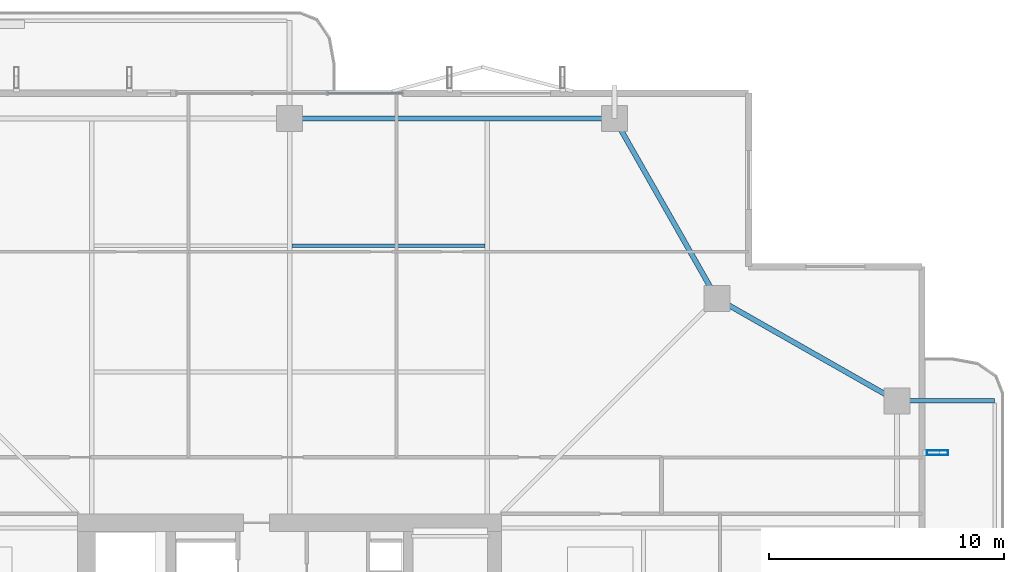
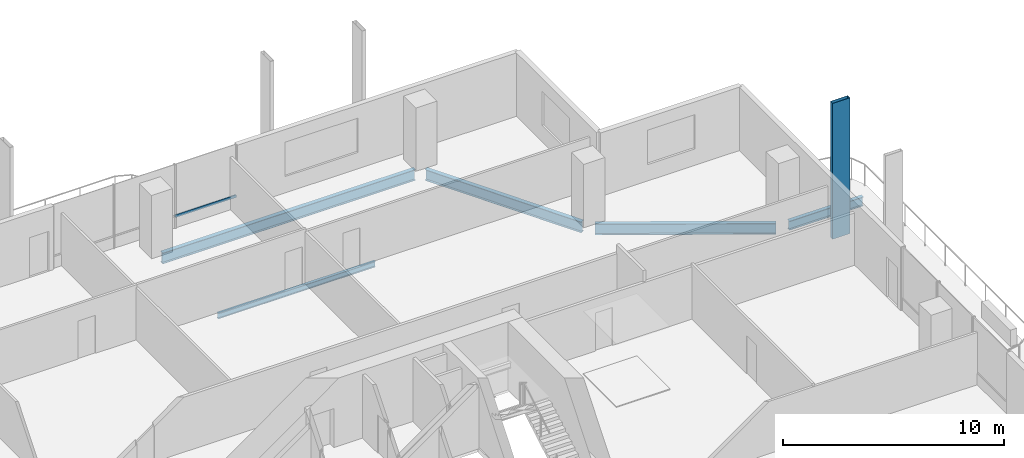
# One storey, part 14 of 24: 5 beams, 2 members, 1 element without a shape of its own.
"""IFC4 building model written with IfcOpenShell, lengths in metres."""

from ifc_helpers import new_model, si_unit, direction, frame, origin, origin_2d, place, context, subcontext, project, spatial, hollow_rectangle, i_section, extrude, material, layer, layer_set, material_profile, profile_set, type_object, element, aggregate, save


model = new_model("IFC4")

# Units and contexts
model_context = context("Model", 3, precision=1e-05, world=origin(), true_north=direction((0.0, 1.0)))
body_context = subcontext(model_context, "Body", "Model", "MODEL_VIEW")
ifc_project = project(units=[si_unit("LENGTHUNIT", "METRE"), si_unit("AREAUNIT", "SQUARE_METRE"), si_unit("VOLUMEUNIT", "CUBIC_METRE"), si_unit("PLANEANGLEUNIT", "RADIAN"), si_unit("MASSUNIT", "GRAM", prefix="KILO")], contexts=[model_context])

# Site, building, storey
site_placement = place(None, origin())
site = spatial("IfcSite", under=ifc_project, at=site_placement, CompositionType="ELEMENT")
building_placement = place(site_placement, origin())
building = spatial("IfcBuilding", under=site, at=building_placement, Name="Belovzor Exchange Tower", CompositionType="ELEMENT")
storey_placement = place(building_placement, frame((0.0, 0.0, 203.699951171875)))
storey = spatial("IfcBuildingStorey", under=building, at=storey_placement, Name="L50", CompositionType="ELEMENT", Elevation=203.699951171875)

# Beams
ifc_material_1 = material(Name="Steel S355", Category="steel")
ifc_material_profile_1 = material_profile(ifc_material_1, i_section(OverallWidth=0.199951171875, OverallDepth=0.5, WebThickness=0.01025390625, FlangeThickness=0.01611328125, at=origin_2d()))
ifc_profile_set_1 = profile_set([ifc_material_profile_1], Name="Steel S355")
beam_type_1 = type_object("IfcBeamType", Name="Planted Balcony Cantilever Beam IPE 500", PredefinedType="BEAM", material=ifc_profile_set_1)
beam_1_placement = place(storey_placement, frame((54.903076171875, 42.60009765625, -0.5), z_axis=(1.0, 0.0, 0.0), x_axis=(0.0, 1.0, 0.0)))
element("IfcBeam", 1, at=beam_1_placement, inside=storey, type_object=beam_type_1, Name="BC-500 Planted Balcony Cantilever Beam IPE 500", PredefinedType="BEAM", context=body_context, shape_type="SweptSolid", body=[
    extrude(i_section(OverallWidth=0.199951171875, OverallDepth=0.5, WebThickness=0.01025390625, FlangeThickness=0.01611328125, at=origin_2d()), origin(), (0.0, 0.0, 1.0), 3.849853515625),
])
ifc_material_2 = material(Name="Steel S355", Category="steel")
ifc_material_profile_2 = material_profile(ifc_material_2, i_section(OverallWidth=0.14990234375, OverallDepth=0.300048828125, WebThickness=0.007080078125, FlangeThickness=0.0107421875, at=origin_2d()))
ifc_profile_set_2 = profile_set([ifc_material_profile_2], Name="Steel S355")
beam_type_2 = type_object("IfcBeamType", Name="Secondary Trim Floor Joist IPE 300", PredefinedType="BEAM", material=ifc_profile_set_2)
beam_2_placement = place(storey_placement, frame((28.89501953125, 49.18701171875, -0.39990234375), z_axis=(1.0, 0.0, 0.0), x_axis=(0.0, 1.0, 0.0)))
element("IfcBeam", 2, at=beam_2_placement, inside=storey, type_object=beam_type_2, Name="FJ-300 Secondary Trim Floor Joist IPE 300", PredefinedType="BEAM", context=body_context, shape_type="SweptSolid", body=[
    extrude(i_section(OverallWidth=0.14990234375, OverallDepth=0.300048828125, WebThickness=0.007080078125, FlangeThickness=0.0107421875, at=origin_2d()), origin(), (0.0, 0.0, 1.0), 8.2099609375),
])

# Member
ifc_material_3 = material(Name="Extruded Architectural Terracotta on Steel S355 Carrier", Category="masonry")
ifc_material_profile_3 = material_profile(ifc_material_3, hollow_rectangle(XDim=0.199951171875, YDim=0.89990234375, WallThickness=0.011962890625, at=origin_2d()))
ifc_profile_set_3 = profile_set([ifc_material_profile_3], Name="Extruded Architectural Terracotta on Steel S355 Carrier")
member_type_1 = type_object("IfcMemberType", Name="Sweeping Terracotta Baguette Fin Assembly 950", PredefinedType="USERDEFINED", material=ifc_profile_set_3)
member_1_placement = place(storey_placement, frame((56.324951171875, 40.39990234375, -0.25), z_axis=(0.0, 0.0, 1.0), x_axis=(0.0, 1.0, 0.0)))
element("IfcMember", 3, at=member_1_placement, inside=storey, type_object=member_type_1, Name="FIN-TC095 Terracotta Facade Fin L50 E4", ObjectType="FIN", PredefinedType="USERDEFINED", context=body_context, shape_type="SweptSolid", body=[
    extrude(hollow_rectangle(XDim=0.199951171875, YDim=0.89990234375, WallThickness=0.011962890625, at=origin_2d()), origin(), (0.0, 0.0, 1.0), 7.5),
])

# Curtain wall, member
ifc_material_4 = material(Name="Anodised Aluminium Framing", Category="aluminium")
ifc_layer = layer(ifc_material_4, 0.179931640625)
ifc_layer_set = layer_set([ifc_layer], Name="Anodised Aluminium Framing")
curtain_wall_type = type_object("IfcCurtainWallType", Name="Recessed Loggia Low-Iron Triple-Glazed Curtain Wall", PredefinedType="NOTDEFINED", material=ifc_layer_set)
curtain_wall_placement = place(storey_placement, origin())
curtain_wall = element("IfcCurtainWall", 4, at=curtain_wall_placement, inside=storey, type_object=curtain_wall_type, Name="CW3 Recessed Loggia Low-Iron Triple-Glazed Curtain Wall L50", PredefinedType="NOTDEFINED")
ifc_material_5 = material(Name="Steel S355", Category="steel")
ifc_material_profile_4 = material_profile(ifc_material_5, hollow_rectangle(XDim=0.06005859375, YDim=0.14990234375, WallThickness=0.00390625, at=origin_2d()))
ifc_profile_set_4 = profile_set([ifc_material_profile_4], Name="Steel S355")
member_type_2 = type_object("IfcMemberType", Name="Thermally Broken Curtain Wall Transom 150x60", PredefinedType="USERDEFINED", material=ifc_profile_set_4)
member_2_placement = place(storey_placement, frame((30.407958984375, 55.669921875, 0.630126953125), z_axis=(1.0, 0.0, 0.0), x_axis=(0.0, 1.0, 0.0)))
member_2 = element("IfcMember", 5, at=member_2_placement, type_object=member_type_2, Name="CW-T150 Curtain Wall Transom 3", ObjectType="TRANSOM", PredefinedType="USERDEFINED", context=body_context, shape_type="SweptSolid", body=[
    extrude(hollow_rectangle(XDim=0.06005859375, YDim=0.14990234375, WallThickness=0.00390625, at=origin_2d()), origin(), (0.0, 0.0, 1.0), 3.18408203125),
])
aggregate(curtain_wall, [member_2])

# Beams
ifc_material_6 = material(Name="Steel S355", Category="steel")
ifc_material_profile_5 = material_profile(ifc_material_6, i_section(OverallWidth=0.219970703125, OverallDepth=0.60009765625, WebThickness=0.011962890625, FlangeThickness=0.01904296875, at=origin_2d()))
ifc_profile_set_5 = profile_set([ifc_material_profile_5], Name="Steel S355")
beam_type_3 = type_object("IfcBeamType", Name="Zone 4 Flare Primary Girder IPE 600", PredefinedType="BEAM", material=ifc_profile_set_5)
for number, where, z_axis, x_axis, name in (
    (6, (54.3369140625, 42.75, -0.550048828125), (-0.869335547884, 0.494222323641, 0.0), (-0.494222323641, -0.869335547884, 0.0), "FG-Z4 Zone 4 Flare Primary Girder IPE 600"),
    (7, (46.800048828125, 47.212890625, -0.550048828125), (-0.494222323641, 0.869335547884, 0.0), (-0.869335547884, -0.494222323641, 0.0), "FG-Z4 Zone 4 Flare Primary Girder IPE 600"),
):
    element("IfcBeam", number, at=place(storey_placement, frame(where, z_axis=z_axis, x_axis=x_axis)), inside=storey, type_object=beam_type_3, Name=name, PredefinedType="BEAM", context=body_context, shape_type="SweptSolid", body=[
        extrude(i_section(OverallWidth=0.219970703125, OverallDepth=0.60009765625, WebThickness=0.011962890625, FlangeThickness=0.01904296875, at=origin_2d()), origin(), (0.0, 0.0, 1.0), 8.19482421875),
    ])
beam_3_placement = place(storey_placement, frame((42.297119140625, 54.60009765625, -0.550048828125), z_axis=(-1.0, 0.0, 0.0), x_axis=(0.0, -1.0, 0.0)))
element("IfcBeam", 8, at=beam_3_placement, inside=storey, type_object=beam_type_3, Name="FG-Z4 Zone 4 Flare Primary Girder IPE 600", PredefinedType="BEAM", context=body_context, shape_type="SweptSolid", body=[
    extrude(i_section(OverallWidth=0.219970703125, OverallDepth=0.60009765625, WebThickness=0.011962890625, FlangeThickness=0.01904296875, at=origin_2d()), origin(), (0.0, 0.0, 1.0), 13.195068359375),
])

save(model, "model.ifc")
